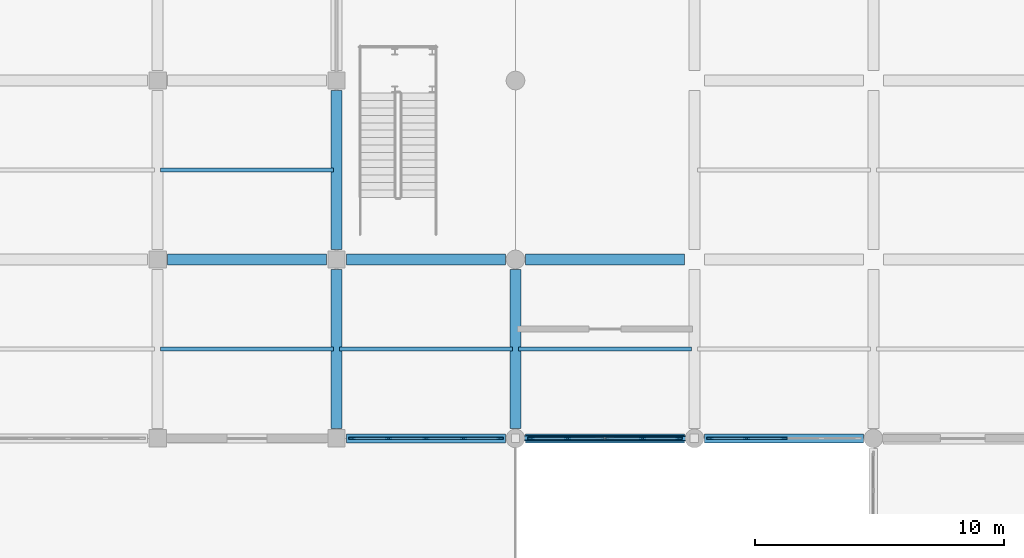
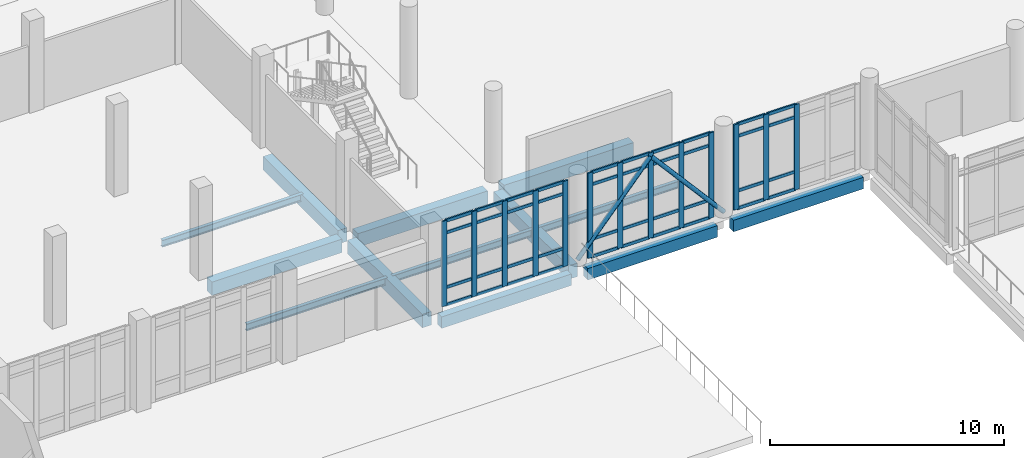
# One storey, part 12 of 59: 55 members, 13 beams, 3 elements without a shape of their own.
"""IFC4 building model written with IfcOpenShell, lengths in metres."""

from ifc_helpers import new_model, si_unit, direction, frame, origin, origin_2d, place, context, subcontext, project, spatial, rectangle, hollow_circle, i_section, extrude, material, layer, layer_set, material_profile, profile_set, type_object, element, aggregate, save


model = new_model("IFC4")

# Units and contexts
model_context = context("Model", 3, precision=1e-05, world=origin(), true_north=direction((0.0, 1.0)))
body_context = subcontext(model_context, "Body", "Model", "MODEL_VIEW")
ifc_project = project(units=[si_unit("LENGTHUNIT", "METRE"), si_unit("AREAUNIT", "SQUARE_METRE"), si_unit("VOLUMEUNIT", "CUBIC_METRE"), si_unit("PLANEANGLEUNIT", "RADIAN"), si_unit("MASSUNIT", "GRAM", prefix="KILO")], contexts=[model_context])

# Site, building, storey
site_placement = place(None, origin())
site = spatial("IfcSite", under=ifc_project, at=site_placement, CompositionType="ELEMENT")
building_placement = place(site_placement, origin())
building = spatial("IfcBuilding", under=site, at=building_placement, Name="Valkovuoma Quantum and Materials Research Institute", CompositionType="ELEMENT")
storey_placement = place(building_placement, origin())
storey = spatial("IfcBuildingStorey", under=building, at=storey_placement, Name="L00", CompositionType="ELEMENT", Elevation=0.0)

# Beams
ifc_material_1 = material(Name="Steel S355J2", Category="steel")
ifc_material_profile_1 = material_profile(ifc_material_1, i_section(OverallWidth=0.169921875, OverallDepth=0.360107421875, WebThickness=0.008056640625, FlangeThickness=0.0126953125, FilletRadius=0.01806640625, at=origin_2d()), Name="Steel S355J2")
ifc_profile_set_1 = profile_set([ifc_material_profile_1], Name="Steel S355J2")
beam_type_1 = type_object("IfcBeamType", Name="Beam-B-JST360", PredefinedType="JOIST", material=ifc_profile_set_1)
for number, where, z_axis, x_axis, name in (
    (1, (28.919921875, 39.60009765625, -0.580078125), (1.0, 0.0, 0.0), (0.0, 1.0, 0.0), "L00 floor joist 0420"),
    (2, (36.1201171875, 39.60009765625, -0.580078125), (1.0, 0.0, 0.0), (0.0, 1.0, 0.0), "L00 floor joist 0421"),
    (3, (43.320068359375, 39.60009765625, -0.580078125), (1.0, 0.0, 0.0), (0.0, 1.0, 0.0), "L00 floor joist 0422"),
    (4, (28.919921875, 46.800048828125, -0.580078125), (1.0, 0.0, 0.0), (0.0, 1.0, 0.0), "L00 floor joist 0439"),
):
    element("IfcBeam", number, at=place(storey_placement, frame(where, z_axis=z_axis, x_axis=x_axis)), inside=storey, type_object=beam_type_1, Name=name, PredefinedType="JOIST", context=body_context, shape_type="SweptSolid", body=[
        extrude(i_section(OverallWidth=0.169921875, OverallDepth=0.360107421875, WebThickness=0.008056640625, FlangeThickness=0.0126953125, FilletRadius=0.01806640625, at=origin_2d()), origin(), (0.0, 0.0, 1.0), 6.9599609375),
    ])
ifc_material_2 = material(Name="Concrete C40/50", Category="concrete")
ifc_material_profile_2 = material_profile(ifc_material_2, rectangle(XDim=0.449951171875, YDim=0.699951171875, at=origin_2d()), Name="Concrete C40/50")
ifc_profile_set_2 = profile_set([ifc_material_profile_2], Name="Concrete C40/50")
beam_type_2 = type_object("IfcBeamType", Name="Beam-B-RC700", PredefinedType="BEAM", material=ifc_profile_set_2)
for number, where, z_axis, x_axis, name in (
    (5, (29.199951171875, 43.199951171875, -0.75), (1.0, 0.0, 0.0), (0.0, 1.0, 0.0), "L00 beam X-0058"),
    (6, (36.39990234375, 43.199951171875, -0.75), (1.0, 0.0, 0.0), (0.0, 1.0, 0.0), "L00 beam X-0059"),
):
    element("IfcBeam", number, at=place(storey_placement, frame(where, z_axis=z_axis, x_axis=x_axis)), inside=storey, type_object=beam_type_2, Name=name, PredefinedType="BEAM", context=body_context, shape_type="SweptSolid", body=[
        extrude(rectangle(XDim=0.449951171875, YDim=0.699951171875, at=origin_2d()), origin(), (0.0, 0.0, 1.0), 6.400146484375),
    ])
beam_1_placement = place(storey_placement, frame((43.60009765625, 43.199951171875, -0.75), z_axis=(1.0, 0.0, 0.0), x_axis=(0.0, 1.0, 0.0)))
element("IfcBeam", 7, at=beam_1_placement, inside=storey, type_object=beam_type_2, Name="L00 beam X-0060", PredefinedType="BEAM", context=body_context, shape_type="SweptSolid", body=[
    extrude(rectangle(XDim=0.449951171875, YDim=0.699951171875, at=origin_2d()), origin(), (0.0, 0.0, 1.0), 6.39990234375),
])
beam_2_placement = place(storey_placement, frame((36.0, 36.39990234375, -0.75), z_axis=(0.0, 1.0, 0.0), x_axis=(-1.0, 0.0, 0.0)))
element("IfcBeam", 8, at=beam_2_placement, inside=storey, type_object=beam_type_2, Name="L00 beam Y-0236", PredefinedType="BEAM", context=body_context, shape_type="SweptSolid", body=[
    extrude(rectangle(XDim=0.449951171875, YDim=0.699951171875, at=origin_2d()), origin(), (0.0, 0.0, 1.0), 6.400146484375),
])
beam_3_placement = place(storey_placement, frame((36.0, 43.60009765625, -0.75), z_axis=(0.0, 1.0, 0.0), x_axis=(-1.0, 0.0, 0.0)))
element("IfcBeam", 9, at=beam_3_placement, inside=storey, type_object=beam_type_2, Name="L00 beam Y-0237", PredefinedType="BEAM", context=body_context, shape_type="SweptSolid", body=[
    extrude(rectangle(XDim=0.449951171875, YDim=0.699951171875, at=origin_2d()), origin(), (0.0, 0.0, 1.0), 6.39990234375),
])
beam_4_placement = place(storey_placement, frame((43.199951171875, 36.39990234375, -0.75), z_axis=(0.0, 1.0, 0.0), x_axis=(-1.0, 0.0, 0.0)))
element("IfcBeam", 10, at=beam_4_placement, inside=storey, type_object=beam_type_2, Name="L00 beam Y-0246", PredefinedType="BEAM", context=body_context, shape_type="SweptSolid", body=[
    extrude(rectangle(XDim=0.449951171875, YDim=0.699951171875, at=origin_2d()), origin(), (0.0, 0.0, 1.0), 6.400146484375),
])
ifc_material_3 = material(Name="Concrete C40/50", Category="concrete")
ifc_material_profile_3 = material_profile(ifc_material_3, rectangle(XDim=0.35009765625, YDim=0.60009765625, at=origin_2d()), Name="Concrete C40/50")
ifc_profile_set_3 = profile_set([ifc_material_profile_3], Name="Concrete C40/50")
beam_type_3 = type_object("IfcBeamType", Name="Beam-B-SPN600", PredefinedType="SPANDREL", material=ifc_profile_set_3)
beam_5_placement = place(storey_placement, frame((36.39990234375, 36.0, -0.699951171875), z_axis=(1.0, 0.0, 0.0), x_axis=(0.0, 1.0, 0.0)))
element("IfcBeam", 11, at=beam_5_placement, inside=storey, type_object=beam_type_3, Name="L00 beam X-0036", PredefinedType="SPANDREL", context=body_context, shape_type="SweptSolid", body=[
    extrude(rectangle(XDim=0.35009765625, YDim=0.60009765625, at=origin_2d()), origin(), (0.0, 0.0, 1.0), 6.400146484375),
])
for number, where, z_axis, x_axis, name in (
    (12, (43.60009765625, 36.0, -0.699951171875), (1.0, 0.0, 0.0), (0.0, 1.0, 0.0), "L00 beam X-0037"),
    (13, (50.800048828125, 36.0, -0.699951171875), (1.0, 0.0, 0.0), (0.0, 1.0, 0.0), "L00 beam X-0038"),
):
    element("IfcBeam", number, at=place(storey_placement, frame(where, z_axis=z_axis, x_axis=x_axis)), inside=storey, type_object=beam_type_3, Name=name, PredefinedType="SPANDREL", context=body_context, shape_type="SweptSolid", body=[
        extrude(rectangle(XDim=0.35009765625, YDim=0.60009765625, at=origin_2d()), origin(), (0.0, 0.0, 1.0), 6.39990234375),
    ])

# Curtain wall, members
ifc_material_4 = material(Name="Thermally broken aluminium and triple low-E glazing", Category="aluminium")
ifc_layer = layer(ifc_material_4, 0.219970703125)
ifc_layer_set = layer_set([ifc_layer], Name="Thermally broken aluminium and triple low-E glazing")
curtain_wall_type = type_object("IfcCurtainWallType", Name="CW-CW-02", PredefinedType="NOTDEFINED", material=ifc_layer_set)
curtain_wall_1_placement = place(storey_placement, origin())
curtain_wall_1 = element("IfcCurtainWall", 14, at=curtain_wall_1_placement, inside=storey, type_object=curtain_wall_type, Name="L00 curtain wall 149", PredefinedType="NOTDEFINED")
ifc_material_5 = material(Name="Anodised aluminium 6060-T66", Category="aluminium")
ifc_material_profile_4 = material_profile(ifc_material_5, rectangle(XDim=0.080078125, YDim=0.260009765625, at=origin_2d()), Name="Anodised aluminium 6060-T66")
ifc_profile_set_4 = profile_set([ifc_material_profile_4], Name="Anodised aluminium 6060-T66")
member_type_1 = type_object("IfcMemberType", Name="CWMull-CWM-03", PredefinedType="MULLION", material=ifc_profile_set_4)
member_1_placement = place(storey_placement, frame((36.6201171875, 36.0, 0.0), z_axis=(0.0, 0.0, 1.0), x_axis=(0.0, 1.0, 0.0)))
member_1 = element("IfcMember", 15, at=member_1_placement, type_object=member_type_1, Name="CW-02 mullion 1", PredefinedType="MULLION", context=body_context, shape_type="SweptSolid", body=[
    extrude(rectangle(XDim=0.080078125, YDim=0.260009765625, at=origin_2d()), origin(), (0.0, 0.0, 1.0), 4.449951171875),
])
member_2_placement = place(storey_placement, frame((38.090087890625, 36.0, 0.0), z_axis=(0.0, 0.0, 1.0), x_axis=(0.0, 1.0, 0.0)))
member_2 = element("IfcMember", 16, at=member_2_placement, type_object=member_type_1, Name="CW-02 mullion 2", PredefinedType="MULLION", context=body_context, shape_type="SweptSolid", body=[
    extrude(rectangle(XDim=0.080078125, YDim=0.260009765625, at=origin_2d()), origin(), (0.0, 0.0, 1.0), 4.449951171875),
])
member_3_placement = place(storey_placement, frame((39.60009765625, 36.0, 0.0), z_axis=(0.0, 0.0, 1.0), x_axis=(0.0, 1.0, 0.0)))
member_3 = element("IfcMember", 17, at=member_3_placement, type_object=member_type_1, Name="CW-02 mullion 3", PredefinedType="MULLION", context=body_context, shape_type="SweptSolid", body=[
    extrude(rectangle(XDim=0.080078125, YDim=0.260009765625, at=origin_2d()), origin(), (0.0, 0.0, 1.0), 4.449951171875),
])
member_4_placement = place(storey_placement, frame((41.110107421875, 36.0, 0.0), z_axis=(0.0, 0.0, 1.0), x_axis=(0.0, 1.0, 0.0)))
member_4 = element("IfcMember", 18, at=member_4_placement, type_object=member_type_1, Name="CW-02 mullion 4", PredefinedType="MULLION", context=body_context, shape_type="SweptSolid", body=[
    extrude(rectangle(XDim=0.080078125, YDim=0.260009765625, at=origin_2d()), origin(), (0.0, 0.0, 1.0), 4.449951171875),
])
member_5_placement = place(storey_placement, frame((42.580078125, 36.0, 0.0), z_axis=(0.0, 0.0, 1.0), x_axis=(0.0, 1.0, 0.0)))
member_5 = element("IfcMember", 19, at=member_5_placement, type_object=member_type_1, Name="CW-02 mullion 5", PredefinedType="MULLION", context=body_context, shape_type="SweptSolid", body=[
    extrude(rectangle(XDim=0.080078125, YDim=0.260009765625, at=origin_2d()), origin(), (0.0, 0.0, 1.0), 4.449951171875),
])

curtain_wall_2_placement = place(storey_placement, origin())
curtain_wall_2 = element("IfcCurtainWall", 20, at=curtain_wall_2_placement, inside=storey, type_object=curtain_wall_type, Name="L00 curtain wall 150", PredefinedType="NOTDEFINED")
member_6_placement = place(storey_placement, frame((43.820068359375, 36.0, 0.0), z_axis=(0.0, 0.0, 1.0), x_axis=(0.0, 1.0, 0.0)))
member_6 = element("IfcMember", 21, at=member_6_placement, type_object=member_type_1, Name="CW-02 mullion 1", PredefinedType="MULLION", context=body_context, shape_type="SweptSolid", body=[
    extrude(rectangle(XDim=0.080078125, YDim=0.260009765625, at=origin_2d()), origin(), (0.0, 0.0, 1.0), 4.449951171875),
])
member_7_placement = place(storey_placement, frame((45.2900390625, 36.0, 0.0), z_axis=(0.0, 0.0, 1.0), x_axis=(0.0, 1.0, 0.0)))
member_7 = element("IfcMember", 22, at=member_7_placement, type_object=member_type_1, Name="CW-02 mullion 2", PredefinedType="MULLION", context=body_context, shape_type="SweptSolid", body=[
    extrude(rectangle(XDim=0.080078125, YDim=0.260009765625, at=origin_2d()), origin(), (0.0, 0.0, 1.0), 4.449951171875),
])
member_8_placement = place(storey_placement, frame((46.800048828125, 36.0, 0.0), z_axis=(0.0, 0.0, 1.0), x_axis=(0.0, 1.0, 0.0)))
member_8 = element("IfcMember", 23, at=member_8_placement, type_object=member_type_1, Name="CW-02 mullion 3", PredefinedType="MULLION", context=body_context, shape_type="SweptSolid", body=[
    extrude(rectangle(XDim=0.080078125, YDim=0.260009765625, at=origin_2d()), origin(), (0.0, 0.0, 1.0), 4.449951171875),
])
member_9_placement = place(storey_placement, frame((48.31005859375, 36.0, 0.0), z_axis=(0.0, 0.0, 1.0), x_axis=(0.0, 1.0, 0.0)))
member_9 = element("IfcMember", 24, at=member_9_placement, type_object=member_type_1, Name="CW-02 mullion 4", PredefinedType="MULLION", context=body_context, shape_type="SweptSolid", body=[
    extrude(rectangle(XDim=0.080078125, YDim=0.260009765625, at=origin_2d()), origin(), (0.0, 0.0, 1.0), 4.449951171875),
])
member_10_placement = place(storey_placement, frame((49.780029296875, 36.0, 0.0), z_axis=(0.0, 0.0, 1.0), x_axis=(0.0, 1.0, 0.0)))
member_10 = element("IfcMember", 25, at=member_10_placement, type_object=member_type_1, Name="CW-02 mullion 5", PredefinedType="MULLION", context=body_context, shape_type="SweptSolid", body=[
    extrude(rectangle(XDim=0.080078125, YDim=0.260009765625, at=origin_2d()), origin(), (0.0, 0.0, 1.0), 4.449951171875),
])

curtain_wall_3_placement = place(storey_placement, origin())
curtain_wall_3 = element("IfcCurtainWall", 26, at=curtain_wall_3_placement, inside=storey, type_object=curtain_wall_type, Name="L00 curtain wall 151", PredefinedType="NOTDEFINED")
member_11_placement = place(storey_placement, frame((51.02001953125, 36.0, 0.0), z_axis=(0.0, 0.0, 1.0), x_axis=(0.0, 1.0, 0.0)))
member_11 = element("IfcMember", 27, at=member_11_placement, type_object=member_type_1, Name="CW-02 mullion 1", PredefinedType="MULLION", context=body_context, shape_type="SweptSolid", body=[
    extrude(rectangle(XDim=0.080078125, YDim=0.260009765625, at=origin_2d()), origin(), (0.0, 0.0, 1.0), 4.449951171875),
])
member_12_placement = place(storey_placement, frame((52.489990234375, 36.0, 0.0), z_axis=(0.0, 0.0, 1.0), x_axis=(0.0, 1.0, 0.0)))
member_12 = element("IfcMember", 28, at=member_12_placement, type_object=member_type_1, Name="CW-02 mullion 2", PredefinedType="MULLION", context=body_context, shape_type="SweptSolid", body=[
    extrude(rectangle(XDim=0.080078125, YDim=0.260009765625, at=origin_2d()), origin(), (0.0, 0.0, 1.0), 4.449951171875),
])
member_13_placement = place(storey_placement, frame((54.0, 36.0, 0.0), z_axis=(0.0, 0.0, 1.0), x_axis=(0.0, 1.0, 0.0)))
member_13 = element("IfcMember", 29, at=member_13_placement, type_object=member_type_1, Name="CW-02 mullion 3", PredefinedType="MULLION", context=body_context, shape_type="SweptSolid", body=[
    extrude(rectangle(XDim=0.080078125, YDim=0.260009765625, at=origin_2d()), origin(), (0.0, 0.0, 1.0), 4.449951171875),
])

# Member
ifc_material_6 = material(Name="Anodised aluminium 6060-T66", Category="aluminium")
ifc_material_profile_5 = material_profile(ifc_material_6, rectangle(XDim=0.074951171875, YDim=0.159912109375, at=origin_2d()), Name="Anodised aluminium 6060-T66")
ifc_profile_set_5 = profile_set([ifc_material_profile_5], Name="Anodised aluminium 6060-T66")
member_type_2 = type_object("IfcMemberType", Name="CWTran-CWT-02", PredefinedType="USERDEFINED", material=ifc_profile_set_5)
member_14_placement = place(storey_placement, frame((36.659912109375, 36.0, 0.03759765625), z_axis=(1.0, 0.0, 0.0), x_axis=(0.0, 1.0, 0.0)))
member_14 = element("IfcMember", 30, at=member_14_placement, type_object=member_type_2, Name="CW-02 transom 1.1", ObjectType="TRANSOM", PredefinedType="USERDEFINED", context=body_context, shape_type="SweptSolid", body=[
    extrude(rectangle(XDim=0.074951171875, YDim=0.159912109375, at=origin_2d()), origin(), (0.0, 0.0, 1.0), 1.39013671875),
])

member_15_placement = place(storey_placement, frame((36.659912109375, 36.0, 0.949951171875), z_axis=(1.0, 0.0, 0.0), x_axis=(0.0, 1.0, 0.0)))
member_15 = element("IfcMember", 31, at=member_15_placement, type_object=member_type_2, Name="CW-02 transom 1.2", ObjectType="TRANSOM", PredefinedType="USERDEFINED", context=body_context, shape_type="SweptSolid", body=[
    extrude(rectangle(XDim=0.074951171875, YDim=0.159912109375, at=origin_2d()), origin(), (0.0, 0.0, 1.0), 1.39013671875),
])

member_16_placement = place(storey_placement, frame((36.659912109375, 36.0, 3.800048828125), z_axis=(1.0, 0.0, 0.0), x_axis=(0.0, 1.0, 0.0)))
member_16 = element("IfcMember", 32, at=member_16_placement, type_object=member_type_2, Name="CW-02 transom 1.3", ObjectType="TRANSOM", PredefinedType="USERDEFINED", context=body_context, shape_type="SweptSolid", body=[
    extrude(rectangle(XDim=0.074951171875, YDim=0.159912109375, at=origin_2d()), origin(), (0.0, 0.0, 1.0), 1.39013671875),
])

member_17_placement = place(storey_placement, frame((36.659912109375, 36.0, 4.41259765625), z_axis=(1.0, 0.0, 0.0), x_axis=(0.0, 1.0, 0.0)))
member_17 = element("IfcMember", 33, at=member_17_placement, type_object=member_type_2, Name="CW-02 transom 1.4", ObjectType="TRANSOM", PredefinedType="USERDEFINED", context=body_context, shape_type="SweptSolid", body=[
    extrude(rectangle(XDim=0.074951171875, YDim=0.159912109375, at=origin_2d()), origin(), (0.0, 0.0, 1.0), 1.39013671875),
])

member_18_placement = place(storey_placement, frame((38.1298828125, 36.0, 0.03759765625), z_axis=(1.0, 0.0, 0.0), x_axis=(0.0, 1.0, 0.0)))
member_18 = element("IfcMember", 34, at=member_18_placement, type_object=member_type_2, Name="CW-02 transom 2.1", ObjectType="TRANSOM", PredefinedType="USERDEFINED", context=body_context, shape_type="SweptSolid", body=[
    extrude(rectangle(XDim=0.074951171875, YDim=0.159912109375, at=origin_2d()), origin(), (0.0, 0.0, 1.0), 1.43017578125),
])

member_19_placement = place(storey_placement, frame((38.1298828125, 36.0, 0.949951171875), z_axis=(1.0, 0.0, 0.0), x_axis=(0.0, 1.0, 0.0)))
member_19 = element("IfcMember", 35, at=member_19_placement, type_object=member_type_2, Name="CW-02 transom 2.2", ObjectType="TRANSOM", PredefinedType="USERDEFINED", context=body_context, shape_type="SweptSolid", body=[
    extrude(rectangle(XDim=0.074951171875, YDim=0.159912109375, at=origin_2d()), origin(), (0.0, 0.0, 1.0), 1.43017578125),
])

member_20_placement = place(storey_placement, frame((38.1298828125, 36.0, 3.800048828125), z_axis=(1.0, 0.0, 0.0), x_axis=(0.0, 1.0, 0.0)))
member_20 = element("IfcMember", 36, at=member_20_placement, type_object=member_type_2, Name="CW-02 transom 2.3", ObjectType="TRANSOM", PredefinedType="USERDEFINED", context=body_context, shape_type="SweptSolid", body=[
    extrude(rectangle(XDim=0.074951171875, YDim=0.159912109375, at=origin_2d()), origin(), (0.0, 0.0, 1.0), 1.43017578125),
])

member_21_placement = place(storey_placement, frame((38.1298828125, 36.0, 4.41259765625), z_axis=(1.0, 0.0, 0.0), x_axis=(0.0, 1.0, 0.0)))
member_21 = element("IfcMember", 37, at=member_21_placement, type_object=member_type_2, Name="CW-02 transom 2.4", ObjectType="TRANSOM", PredefinedType="USERDEFINED", context=body_context, shape_type="SweptSolid", body=[
    extrude(rectangle(XDim=0.074951171875, YDim=0.159912109375, at=origin_2d()), origin(), (0.0, 0.0, 1.0), 1.43017578125),
])

member_22_placement = place(storey_placement, frame((39.639892578125, 36.0, 0.03759765625), z_axis=(1.0, 0.0, 0.0), x_axis=(0.0, 1.0, 0.0)))
member_22 = element("IfcMember", 38, at=member_22_placement, type_object=member_type_2, Name="CW-02 transom 3.1", ObjectType="TRANSOM", PredefinedType="USERDEFINED", context=body_context, shape_type="SweptSolid", body=[
    extrude(rectangle(XDim=0.074951171875, YDim=0.159912109375, at=origin_2d()), origin(), (0.0, 0.0, 1.0), 1.43017578125),
])

member_23_placement = place(storey_placement, frame((39.639892578125, 36.0, 0.949951171875), z_axis=(1.0, 0.0, 0.0), x_axis=(0.0, 1.0, 0.0)))
member_23 = element("IfcMember", 39, at=member_23_placement, type_object=member_type_2, Name="CW-02 transom 3.2", ObjectType="TRANSOM", PredefinedType="USERDEFINED", context=body_context, shape_type="SweptSolid", body=[
    extrude(rectangle(XDim=0.074951171875, YDim=0.159912109375, at=origin_2d()), origin(), (0.0, 0.0, 1.0), 1.43017578125),
])

member_24_placement = place(storey_placement, frame((39.639892578125, 36.0, 3.800048828125), z_axis=(1.0, 0.0, 0.0), x_axis=(0.0, 1.0, 0.0)))
member_24 = element("IfcMember", 40, at=member_24_placement, type_object=member_type_2, Name="CW-02 transom 3.3", ObjectType="TRANSOM", PredefinedType="USERDEFINED", context=body_context, shape_type="SweptSolid", body=[
    extrude(rectangle(XDim=0.074951171875, YDim=0.159912109375, at=origin_2d()), origin(), (0.0, 0.0, 1.0), 1.43017578125),
])

member_25_placement = place(storey_placement, frame((39.639892578125, 36.0, 4.41259765625), z_axis=(1.0, 0.0, 0.0), x_axis=(0.0, 1.0, 0.0)))
member_25 = element("IfcMember", 41, at=member_25_placement, type_object=member_type_2, Name="CW-02 transom 3.4", ObjectType="TRANSOM", PredefinedType="USERDEFINED", context=body_context, shape_type="SweptSolid", body=[
    extrude(rectangle(XDim=0.074951171875, YDim=0.159912109375, at=origin_2d()), origin(), (0.0, 0.0, 1.0), 1.43017578125),
])

member_26_placement = place(storey_placement, frame((41.14990234375, 36.0, 0.03759765625), z_axis=(1.0, 0.0, 0.0), x_axis=(0.0, 1.0, 0.0)))
member_26 = element("IfcMember", 42, at=member_26_placement, type_object=member_type_2, Name="CW-02 transom 4.1", ObjectType="TRANSOM", PredefinedType="USERDEFINED", context=body_context, shape_type="SweptSolid", body=[
    extrude(rectangle(XDim=0.074951171875, YDim=0.159912109375, at=origin_2d()), origin(), (0.0, 0.0, 1.0), 1.39013671875),
])

member_27_placement = place(storey_placement, frame((41.14990234375, 36.0, 0.949951171875), z_axis=(1.0, 0.0, 0.0), x_axis=(0.0, 1.0, 0.0)))
member_27 = element("IfcMember", 43, at=member_27_placement, type_object=member_type_2, Name="CW-02 transom 4.2", ObjectType="TRANSOM", PredefinedType="USERDEFINED", context=body_context, shape_type="SweptSolid", body=[
    extrude(rectangle(XDim=0.074951171875, YDim=0.159912109375, at=origin_2d()), origin(), (0.0, 0.0, 1.0), 1.39013671875),
])

member_28_placement = place(storey_placement, frame((41.14990234375, 36.0, 3.800048828125), z_axis=(1.0, 0.0, 0.0), x_axis=(0.0, 1.0, 0.0)))
member_28 = element("IfcMember", 44, at=member_28_placement, type_object=member_type_2, Name="CW-02 transom 4.3", ObjectType="TRANSOM", PredefinedType="USERDEFINED", context=body_context, shape_type="SweptSolid", body=[
    extrude(rectangle(XDim=0.074951171875, YDim=0.159912109375, at=origin_2d()), origin(), (0.0, 0.0, 1.0), 1.39013671875),
])

member_29_placement = place(storey_placement, frame((41.14990234375, 36.0, 4.41259765625), z_axis=(1.0, 0.0, 0.0), x_axis=(0.0, 1.0, 0.0)))
member_29 = element("IfcMember", 45, at=member_29_placement, type_object=member_type_2, Name="CW-02 transom 4.4", ObjectType="TRANSOM", PredefinedType="USERDEFINED", context=body_context, shape_type="SweptSolid", body=[
    extrude(rectangle(XDim=0.074951171875, YDim=0.159912109375, at=origin_2d()), origin(), (0.0, 0.0, 1.0), 1.39013671875),
])

aggregate(curtain_wall_1, [member_1, member_2, member_3, member_4, member_5, member_14, member_15, member_16, member_17, member_18, member_19, member_20, member_21, member_22, member_23, member_24, member_25, member_26, member_27, member_28, member_29])

member_30_placement = place(storey_placement, frame((43.860107421875, 36.0, 0.03759765625), z_axis=(1.0, 0.0, 0.0), x_axis=(0.0, 1.0, 0.0)))
member_30 = element("IfcMember", 46, at=member_30_placement, type_object=member_type_2, Name="CW-02 transom 1.1", ObjectType="TRANSOM", PredefinedType="USERDEFINED", context=body_context, shape_type="SweptSolid", body=[
    extrude(rectangle(XDim=0.074951171875, YDim=0.159912109375, at=origin_2d()), origin(), (0.0, 0.0, 1.0), 1.389892578125),
])

member_31_placement = place(storey_placement, frame((43.860107421875, 36.0, 0.949951171875), z_axis=(1.0, 0.0, 0.0), x_axis=(0.0, 1.0, 0.0)))
member_31 = element("IfcMember", 47, at=member_31_placement, type_object=member_type_2, Name="CW-02 transom 1.2", ObjectType="TRANSOM", PredefinedType="USERDEFINED", context=body_context, shape_type="SweptSolid", body=[
    extrude(rectangle(XDim=0.074951171875, YDim=0.159912109375, at=origin_2d()), origin(), (0.0, 0.0, 1.0), 1.389892578125),
])

member_32_placement = place(storey_placement, frame((43.860107421875, 36.0, 3.800048828125), z_axis=(1.0, 0.0, 0.0), x_axis=(0.0, 1.0, 0.0)))
member_32 = element("IfcMember", 48, at=member_32_placement, type_object=member_type_2, Name="CW-02 transom 1.3", ObjectType="TRANSOM", PredefinedType="USERDEFINED", context=body_context, shape_type="SweptSolid", body=[
    extrude(rectangle(XDim=0.074951171875, YDim=0.159912109375, at=origin_2d()), origin(), (0.0, 0.0, 1.0), 1.389892578125),
])

member_33_placement = place(storey_placement, frame((43.860107421875, 36.0, 4.41259765625), z_axis=(1.0, 0.0, 0.0), x_axis=(0.0, 1.0, 0.0)))
member_33 = element("IfcMember", 49, at=member_33_placement, type_object=member_type_2, Name="CW-02 transom 1.4", ObjectType="TRANSOM", PredefinedType="USERDEFINED", context=body_context, shape_type="SweptSolid", body=[
    extrude(rectangle(XDim=0.074951171875, YDim=0.159912109375, at=origin_2d()), origin(), (0.0, 0.0, 1.0), 1.389892578125),
])

member_34_placement = place(storey_placement, frame((45.330078125, 36.0, 0.03759765625), z_axis=(1.0, 0.0, 0.0), x_axis=(0.0, 1.0, 0.0)))
member_34 = element("IfcMember", 50, at=member_34_placement, type_object=member_type_2, Name="CW-02 transom 2.1", ObjectType="TRANSOM", PredefinedType="USERDEFINED", context=body_context, shape_type="SweptSolid", body=[
    extrude(rectangle(XDim=0.074951171875, YDim=0.159912109375, at=origin_2d()), origin(), (0.0, 0.0, 1.0), 1.429931640625),
])

member_35_placement = place(storey_placement, frame((45.330078125, 36.0, 0.949951171875), z_axis=(1.0, 0.0, 0.0), x_axis=(0.0, 1.0, 0.0)))
member_35 = element("IfcMember", 51, at=member_35_placement, type_object=member_type_2, Name="CW-02 transom 2.2", ObjectType="TRANSOM", PredefinedType="USERDEFINED", context=body_context, shape_type="SweptSolid", body=[
    extrude(rectangle(XDim=0.074951171875, YDim=0.159912109375, at=origin_2d()), origin(), (0.0, 0.0, 1.0), 1.429931640625),
])

member_36_placement = place(storey_placement, frame((45.330078125, 36.0, 3.800048828125), z_axis=(1.0, 0.0, 0.0), x_axis=(0.0, 1.0, 0.0)))
member_36 = element("IfcMember", 52, at=member_36_placement, type_object=member_type_2, Name="CW-02 transom 2.3", ObjectType="TRANSOM", PredefinedType="USERDEFINED", context=body_context, shape_type="SweptSolid", body=[
    extrude(rectangle(XDim=0.074951171875, YDim=0.159912109375, at=origin_2d()), origin(), (0.0, 0.0, 1.0), 1.429931640625),
])

member_37_placement = place(storey_placement, frame((45.330078125, 36.0, 4.41259765625), z_axis=(1.0, 0.0, 0.0), x_axis=(0.0, 1.0, 0.0)))
member_37 = element("IfcMember", 53, at=member_37_placement, type_object=member_type_2, Name="CW-02 transom 2.4", ObjectType="TRANSOM", PredefinedType="USERDEFINED", context=body_context, shape_type="SweptSolid", body=[
    extrude(rectangle(XDim=0.074951171875, YDim=0.159912109375, at=origin_2d()), origin(), (0.0, 0.0, 1.0), 1.429931640625),
])

member_38_placement = place(storey_placement, frame((46.840087890625, 36.0, 0.03759765625), z_axis=(1.0, 0.0, 0.0), x_axis=(0.0, 1.0, 0.0)))
member_38 = element("IfcMember", 54, at=member_38_placement, type_object=member_type_2, Name="CW-02 transom 3.1", ObjectType="TRANSOM", PredefinedType="USERDEFINED", context=body_context, shape_type="SweptSolid", body=[
    extrude(rectangle(XDim=0.074951171875, YDim=0.159912109375, at=origin_2d()), origin(), (0.0, 0.0, 1.0), 1.429931640625),
])

member_39_placement = place(storey_placement, frame((46.840087890625, 36.0, 0.949951171875), z_axis=(1.0, 0.0, 0.0), x_axis=(0.0, 1.0, 0.0)))
member_39 = element("IfcMember", 55, at=member_39_placement, type_object=member_type_2, Name="CW-02 transom 3.2", ObjectType="TRANSOM", PredefinedType="USERDEFINED", context=body_context, shape_type="SweptSolid", body=[
    extrude(rectangle(XDim=0.074951171875, YDim=0.159912109375, at=origin_2d()), origin(), (0.0, 0.0, 1.0), 1.429931640625),
])

member_40_placement = place(storey_placement, frame((46.840087890625, 36.0, 3.800048828125), z_axis=(1.0, 0.0, 0.0), x_axis=(0.0, 1.0, 0.0)))
member_40 = element("IfcMember", 56, at=member_40_placement, type_object=member_type_2, Name="CW-02 transom 3.3", ObjectType="TRANSOM", PredefinedType="USERDEFINED", context=body_context, shape_type="SweptSolid", body=[
    extrude(rectangle(XDim=0.074951171875, YDim=0.159912109375, at=origin_2d()), origin(), (0.0, 0.0, 1.0), 1.429931640625),
])

member_41_placement = place(storey_placement, frame((46.840087890625, 36.0, 4.41259765625), z_axis=(1.0, 0.0, 0.0), x_axis=(0.0, 1.0, 0.0)))
member_41 = element("IfcMember", 57, at=member_41_placement, type_object=member_type_2, Name="CW-02 transom 3.4", ObjectType="TRANSOM", PredefinedType="USERDEFINED", context=body_context, shape_type="SweptSolid", body=[
    extrude(rectangle(XDim=0.074951171875, YDim=0.159912109375, at=origin_2d()), origin(), (0.0, 0.0, 1.0), 1.429931640625),
])

member_42_placement = place(storey_placement, frame((48.35009765625, 36.0, 0.03759765625), z_axis=(1.0, 0.0, 0.0), x_axis=(0.0, 1.0, 0.0)))
member_42 = element("IfcMember", 58, at=member_42_placement, type_object=member_type_2, Name="CW-02 transom 4.1", ObjectType="TRANSOM", PredefinedType="USERDEFINED", context=body_context, shape_type="SweptSolid", body=[
    extrude(rectangle(XDim=0.074951171875, YDim=0.159912109375, at=origin_2d()), origin(), (0.0, 0.0, 1.0), 1.389892578125),
])

member_43_placement = place(storey_placement, frame((48.35009765625, 36.0, 0.949951171875), z_axis=(1.0, 0.0, 0.0), x_axis=(0.0, 1.0, 0.0)))
member_43 = element("IfcMember", 59, at=member_43_placement, type_object=member_type_2, Name="CW-02 transom 4.2", ObjectType="TRANSOM", PredefinedType="USERDEFINED", context=body_context, shape_type="SweptSolid", body=[
    extrude(rectangle(XDim=0.074951171875, YDim=0.159912109375, at=origin_2d()), origin(), (0.0, 0.0, 1.0), 1.389892578125),
])

member_44_placement = place(storey_placement, frame((48.35009765625, 36.0, 3.800048828125), z_axis=(1.0, 0.0, 0.0), x_axis=(0.0, 1.0, 0.0)))
member_44 = element("IfcMember", 60, at=member_44_placement, type_object=member_type_2, Name="CW-02 transom 4.3", ObjectType="TRANSOM", PredefinedType="USERDEFINED", context=body_context, shape_type="SweptSolid", body=[
    extrude(rectangle(XDim=0.074951171875, YDim=0.159912109375, at=origin_2d()), origin(), (0.0, 0.0, 1.0), 1.389892578125),
])

member_45_placement = place(storey_placement, frame((48.35009765625, 36.0, 4.41259765625), z_axis=(1.0, 0.0, 0.0), x_axis=(0.0, 1.0, 0.0)))
member_45 = element("IfcMember", 61, at=member_45_placement, type_object=member_type_2, Name="CW-02 transom 4.4", ObjectType="TRANSOM", PredefinedType="USERDEFINED", context=body_context, shape_type="SweptSolid", body=[
    extrude(rectangle(XDim=0.074951171875, YDim=0.159912109375, at=origin_2d()), origin(), (0.0, 0.0, 1.0), 1.389892578125),
])

aggregate(curtain_wall_2, [member_6, member_7, member_8, member_9, member_10, member_30, member_31, member_32, member_33, member_34, member_35, member_36, member_37, member_38, member_39, member_40, member_41, member_42, member_43, member_44, member_45])

member_46_placement = place(storey_placement, frame((51.06005859375, 36.0, 0.03759765625), z_axis=(1.0, 0.0, 0.0), x_axis=(0.0, 1.0, 0.0)))
member_46 = element("IfcMember", 62, at=member_46_placement, type_object=member_type_2, Name="CW-02 transom 1.1", ObjectType="TRANSOM", PredefinedType="USERDEFINED", context=body_context, shape_type="SweptSolid", body=[
    extrude(rectangle(XDim=0.074951171875, YDim=0.159912109375, at=origin_2d()), origin(), (0.0, 0.0, 1.0), 1.389892578125),
])

member_47_placement = place(storey_placement, frame((51.06005859375, 36.0, 0.949951171875), z_axis=(1.0, 0.0, 0.0), x_axis=(0.0, 1.0, 0.0)))
member_47 = element("IfcMember", 63, at=member_47_placement, type_object=member_type_2, Name="CW-02 transom 1.2", ObjectType="TRANSOM", PredefinedType="USERDEFINED", context=body_context, shape_type="SweptSolid", body=[
    extrude(rectangle(XDim=0.074951171875, YDim=0.159912109375, at=origin_2d()), origin(), (0.0, 0.0, 1.0), 1.389892578125),
])

member_48_placement = place(storey_placement, frame((51.06005859375, 36.0, 3.800048828125), z_axis=(1.0, 0.0, 0.0), x_axis=(0.0, 1.0, 0.0)))
member_48 = element("IfcMember", 64, at=member_48_placement, type_object=member_type_2, Name="CW-02 transom 1.3", ObjectType="TRANSOM", PredefinedType="USERDEFINED", context=body_context, shape_type="SweptSolid", body=[
    extrude(rectangle(XDim=0.074951171875, YDim=0.159912109375, at=origin_2d()), origin(), (0.0, 0.0, 1.0), 1.389892578125),
])

member_49_placement = place(storey_placement, frame((51.06005859375, 36.0, 4.41259765625), z_axis=(1.0, 0.0, 0.0), x_axis=(0.0, 1.0, 0.0)))
member_49 = element("IfcMember", 65, at=member_49_placement, type_object=member_type_2, Name="CW-02 transom 1.4", ObjectType="TRANSOM", PredefinedType="USERDEFINED", context=body_context, shape_type="SweptSolid", body=[
    extrude(rectangle(XDim=0.074951171875, YDim=0.159912109375, at=origin_2d()), origin(), (0.0, 0.0, 1.0), 1.389892578125),
])

member_50_placement = place(storey_placement, frame((52.530029296875, 36.0, 0.03759765625), z_axis=(1.0, 0.0, 0.0), x_axis=(0.0, 1.0, 0.0)))
member_50 = element("IfcMember", 66, at=member_50_placement, type_object=member_type_2, Name="CW-02 transom 2.1", ObjectType="TRANSOM", PredefinedType="USERDEFINED", context=body_context, shape_type="SweptSolid", body=[
    extrude(rectangle(XDim=0.074951171875, YDim=0.159912109375, at=origin_2d()), origin(), (0.0, 0.0, 1.0), 1.429931640625),
])

member_51_placement = place(storey_placement, frame((52.530029296875, 36.0, 0.949951171875), z_axis=(1.0, 0.0, 0.0), x_axis=(0.0, 1.0, 0.0)))
member_51 = element("IfcMember", 67, at=member_51_placement, type_object=member_type_2, Name="CW-02 transom 2.2", ObjectType="TRANSOM", PredefinedType="USERDEFINED", context=body_context, shape_type="SweptSolid", body=[
    extrude(rectangle(XDim=0.074951171875, YDim=0.159912109375, at=origin_2d()), origin(), (0.0, 0.0, 1.0), 1.429931640625),
])

member_52_placement = place(storey_placement, frame((52.530029296875, 36.0, 3.800048828125), z_axis=(1.0, 0.0, 0.0), x_axis=(0.0, 1.0, 0.0)))
member_52 = element("IfcMember", 68, at=member_52_placement, type_object=member_type_2, Name="CW-02 transom 2.3", ObjectType="TRANSOM", PredefinedType="USERDEFINED", context=body_context, shape_type="SweptSolid", body=[
    extrude(rectangle(XDim=0.074951171875, YDim=0.159912109375, at=origin_2d()), origin(), (0.0, 0.0, 1.0), 1.429931640625),
])

member_53_placement = place(storey_placement, frame((52.530029296875, 36.0, 4.41259765625), z_axis=(1.0, 0.0, 0.0), x_axis=(0.0, 1.0, 0.0)))
member_53 = element("IfcMember", 69, at=member_53_placement, type_object=member_type_2, Name="CW-02 transom 2.4", ObjectType="TRANSOM", PredefinedType="USERDEFINED", context=body_context, shape_type="SweptSolid", body=[
    extrude(rectangle(XDim=0.074951171875, YDim=0.159912109375, at=origin_2d()), origin(), (0.0, 0.0, 1.0), 1.429931640625),
])

aggregate(curtain_wall_3, [member_11, member_12, member_13, member_46, member_47, member_48, member_49, member_50, member_51, member_52, member_53])

# Members
ifc_material_7 = material(Name="Steel S355J2H", Category="steel")
ifc_material_profile_6 = material_profile(ifc_material_7, hollow_circle(Radius=0.109619140625, WallThickness=0.010009765625, at=origin_2d()), Name="Steel S355J2H")
ifc_profile_set_6 = profile_set([ifc_material_profile_6], Name="Steel S355J2H")
member_type_3 = type_object("IfcMemberType", Name="Mem-M-BRC219", PredefinedType="BRACE", material=ifc_profile_set_6)
member_54_placement = place(storey_placement, frame((43.199951171875, 36.0, 0.10009765625), z_axis=(0.655295898412, 0.0, 0.755372282735), x_axis=(0.0, 1.0, 0.0)))
element("IfcMember", 70, at=member_54_placement, inside=storey, type_object=member_type_3, Name="L00 chevron wind brace 01A", PredefinedType="BRACE", context=body_context, shape_type="SweptSolid", body=[
    extrude(hollow_circle(Radius=0.109619140625, WallThickness=0.010009765625, at=origin_2d()), origin(), (0.0, 0.0, 1.0), 5.493896484375),
])
member_55_placement = place(storey_placement, frame((50.39990234375, 36.0, 0.10009765625), z_axis=(-0.655270541038, 0.0, 0.755394279862), x_axis=(0.0, -1.0, 0.0)))
element("IfcMember", 71, at=member_55_placement, inside=storey, type_object=member_type_3, Name="L00 chevron wind brace 01B", PredefinedType="BRACE", context=body_context, shape_type="SweptSolid", body=[
    extrude(hollow_circle(Radius=0.109619140625, WallThickness=0.010009765625, at=origin_2d()), origin(), (0.0, 0.0, 1.0), 5.49365234375),
])

save(model, "model.ifc")
